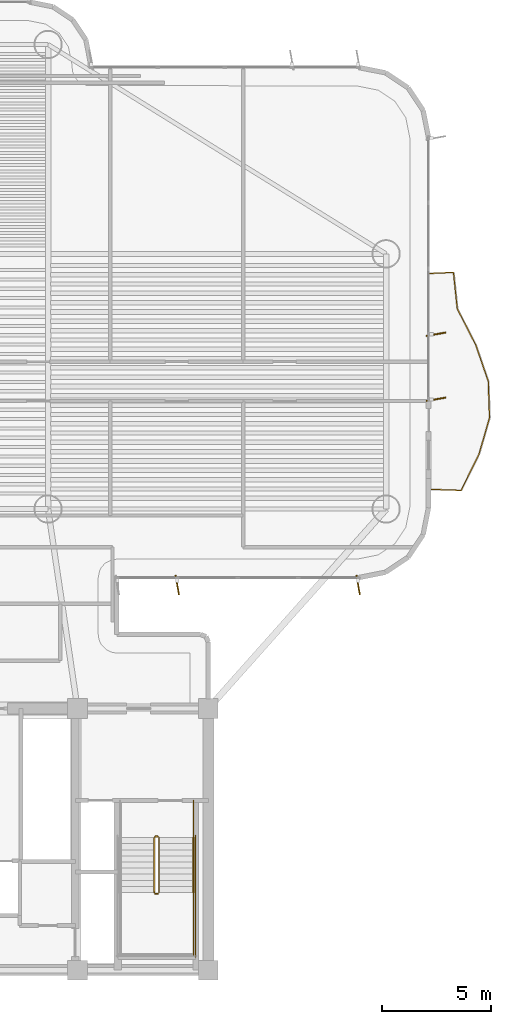
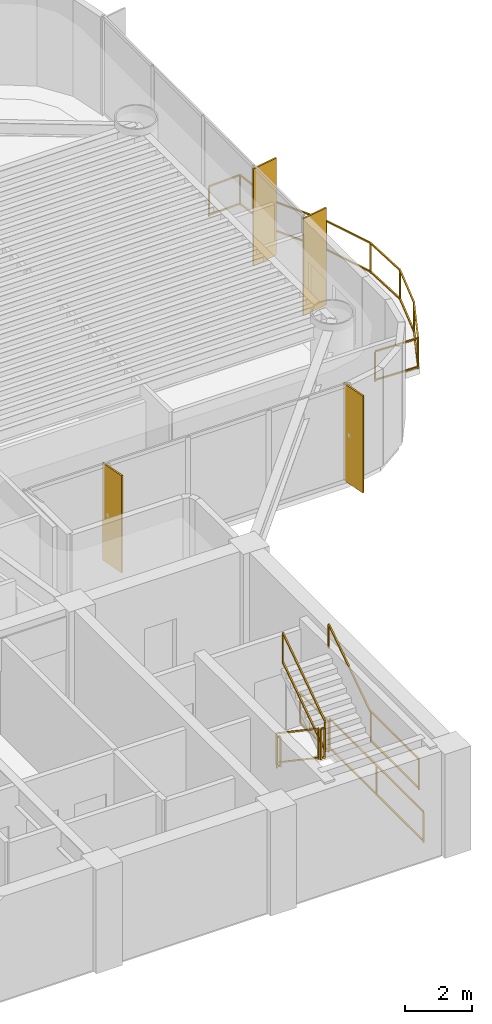
# One storey, part 15 of 16: 9 railings, 4 shading devices.
"""IFC4 building model written with IfcOpenShell, lengths in metres."""

from ifc_helpers import new_model, si_unit, direction, frame, origin, origin_2d, place, context, subcontext, project, spatial, rectangle, extrude, source, transform, mapped, material, layer, layer_set, material_profile, profile_set, type_object, element, save


model = new_model("IFC4")

# Units and contexts
model_context = context("Model", 3, precision=1e-05, world=origin(), true_north=direction((0.0, 1.0)))
body_context = subcontext(model_context, "Body", "Model", "MODEL_VIEW")
ifc_project = project(units=[si_unit("LENGTHUNIT", "METRE"), si_unit("AREAUNIT", "SQUARE_METRE"), si_unit("VOLUMEUNIT", "CUBIC_METRE"), si_unit("PLANEANGLEUNIT", "RADIAN"), si_unit("MASSUNIT", "GRAM", prefix="KILO")], contexts=[model_context])

# Site, building, storey
site_placement = place(None, origin())
site = spatial("IfcSite", under=ifc_project, at=site_placement, CompositionType="ELEMENT")
building_placement = place(site_placement, origin())
building = spatial("IfcBuilding", under=site, at=building_placement, Name="Brelvock Crest Care Tower", CompositionType="ELEMENT")
storey_placement = place(building_placement, frame((0.0, 0.0, 108.719970703125)))
storey = spatial("IfcBuildingStorey", under=building, at=storey_placement, Name="L27", CompositionType="ELEMENT", Elevation=108.719970703125)

# Railings
ifc_material_1 = material(Name="Dark Glass Double Glazed Low-E", Category="glass")
ifc_layer_1 = layer(ifc_material_1, 0.06005859375, Name="RL-BAL1")
ifc_layer_set_1 = layer_set([ifc_layer_1], Name="Dark Glass Double Glazed Low-E")
railing_type_1 = type_object("IfcRailingType", Name="RL-BAL1", PredefinedType="BALUSTRADE", material=ifc_layer_set_1)
railing_1_placement = place(storey_placement, frame((58.139892578125, 28.050048828125, 0.004150390625)))
element("IfcRailing", 1, at=railing_1_placement, inside=storey, type_object=railing_type_1, Name="L27 Safety Balustrade WB-E", PredefinedType="BALUSTRADE", context=body_context, shape_type="SweptSolid", body=[
    extrude(rectangle(XDim=0.048095703125, YDim=0.048095703125, at=origin_2d()), frame((0.001953125, 0.0, 1.09619140625), z_axis=(0.999404999824, -0.034491249994, 0.0), x_axis=(0.034491249994, 0.999404999824, 0.0)), (0.0, 0.0, 1.0), 1.447021484375),
    extrude(rectangle(XDim=0.048095703125, YDim=0.048095703125, at=origin_2d()), frame((0.001953125, 0.0, 0.054931640625), z_axis=(0.999404999824, -0.034491249994, 0.0), x_axis=(0.034491249994, 0.999404999824, 0.0)), (0.0, 0.0, 1.0), 1.447021484375),
    extrude(rectangle(XDim=0.048095703125, YDim=0.048095703125, at=origin_2d()), frame((1.451171875, -0.04833984375, 1.09619140625), z_axis=(0.442214310765, 0.896909417586, 0.0), x_axis=(-0.896909417586, 0.442214310765, 0.0)), (0.0, 0.0, 1.0), 1.854248046875),
    extrude(rectangle(XDim=0.048095703125, YDim=0.048095703125, at=origin_2d()), frame((1.451171875, -0.04833984375, 0.054931640625), z_axis=(0.442214310765, 0.896909417586, 0.0), x_axis=(-0.896909417586, 0.442214310765, 0.0)), (0.0, 0.0, 1.0), 1.854248046875),
    extrude(rectangle(XDim=0.048095703125, YDim=0.048095703125, at=origin_2d()), frame((2.2724609375, 1.61865234375, 1.09619140625), z_axis=(0.277935062116, 0.960599865317, 0.0), x_axis=(-0.960599865317, 0.277935062116, 0.0)), (0.0, 0.0, 1.0), 1.73095703125),
    extrude(rectangle(XDim=0.048095703125, YDim=0.048095703125, at=origin_2d()), frame((2.2724609375, 1.61865234375, 0.054931640625), z_axis=(0.277935062116, 0.960599865317, 0.0), x_axis=(-0.960599865317, 0.277935062116, 0.0)), (0.0, 0.0, 1.0), 1.73095703125),
    extrude(rectangle(XDim=0.048095703125, YDim=0.048095703125, at=origin_2d()), frame((2.754150390625, 3.28515625, 1.09619140625), z_axis=(-0.034109333385, 0.999418107388, 0.0), x_axis=(-0.999418107388, -0.034109333385, 0.0)), (0.0, 0.0, 1.0), 1.663818359375),
    extrude(rectangle(XDim=0.048095703125, YDim=0.048095703125, at=origin_2d()), frame((2.754150390625, 3.28515625, 0.054931640625), z_axis=(-0.034109333385, 0.999418107388, 0.0), x_axis=(-0.999418107388, -0.034109333385, 0.0)), (0.0, 0.0, 1.0), 1.663818359375),
    extrude(rectangle(XDim=0.048095703125, YDim=0.048095703125, at=origin_2d()), frame((2.696533203125, 4.951904296875, 1.09619140625), z_axis=(-0.324735154132, 0.945804990297, 0.0), x_axis=(-0.945804990297, -0.324735154132, 0.0)), (0.0, 0.0, 1.0), 1.75830078125),
    extrude(rectangle(XDim=0.048095703125, YDim=0.048095703125, at=origin_2d()), frame((2.696533203125, 4.951904296875, 0.054931640625), z_axis=(-0.324735154132, 0.945804990297, 0.0), x_axis=(-0.945804990297, -0.324735154132, 0.0)), (0.0, 0.0, 1.0), 1.75830078125),
    extrude(rectangle(XDim=0.048095703125, YDim=0.048095703125, at=origin_2d()), frame((2.1240234375, 6.618408203125, 1.09619140625), z_axis=(-0.454816788854, 0.890585026023, 0.0), x_axis=(-0.890585026023, -0.454816788854, 0.0)), (0.0, 0.0, 1.0), 1.8671875),
    extrude(rectangle(XDim=0.048095703125, YDim=0.048095703125, at=origin_2d()), frame((2.1240234375, 6.618408203125, 0.054931640625), z_axis=(-0.454816788854, 0.890585026023, 0.0), x_axis=(-0.890585026023, -0.454816788854, 0.0)), (0.0, 0.0, 1.0), 1.8671875),
    extrude(rectangle(XDim=0.048095703125, YDim=0.048095703125, at=origin_2d()), frame((1.273681640625, 8.28515625, 1.09619140625), z_axis=(-0.103729188721, 0.994605577808, 0.0), x_axis=(-0.994605577808, -0.103729188721, 0.0)), (0.0, 0.0, 1.0), 1.671875),
    extrude(rectangle(XDim=0.048095703125, YDim=0.048095703125, at=origin_2d()), frame((1.273681640625, 8.28515625, 0.054931640625), z_axis=(-0.103729188721, 0.994605577808, 0.0), x_axis=(-0.994605577808, -0.103729188721, 0.0)), (0.0, 0.0, 1.0), 1.671875),
    extrude(rectangle(XDim=0.048095703125, YDim=0.048095703125, at=origin_2d()), frame((1.09814453125, 9.949951171875, 1.09619140625), z_axis=(-0.998966710972, -0.045447886318, 0.0), x_axis=(0.045447886318, -0.998966710972, 0.0)), (0.0, 0.0, 1.0), 1.09716796875),
    extrude(rectangle(XDim=0.048095703125, YDim=0.048095703125, at=origin_2d()), frame((1.09814453125, 9.949951171875, 0.054931640625), z_axis=(-0.998966710972, -0.045447886318, 0.0), x_axis=(0.045447886318, -0.998966710972, 0.0)), (0.0, 0.0, 1.0), 1.09716796875),
    extrude(rectangle(XDim=0.0419921875, YDim=0.0419921875, at=origin_2d()), origin(), (0.0, 0.0, 1.0), 1.070068359375),
    extrude(rectangle(XDim=0.0419921875, YDim=0.0419921875, at=origin_2d()), frame((1.4501953125, -0.050048828125, 0.0)), (0.0, 0.0, 1.0), 1.070068359375),
    extrude(rectangle(XDim=0.0419921875, YDim=0.0419921875, at=origin_2d()), frame((2.27197265625, 1.61669921875, 0.0)), (0.0, 0.0, 1.0), 1.070068359375),
    extrude(rectangle(XDim=0.0419921875, YDim=0.0419921875, at=origin_2d()), frame((2.754150390625, 3.283203125, 0.0)), (0.0, 0.0, 1.0), 1.070068359375),
    extrude(rectangle(XDim=0.0419921875, YDim=0.0419921875, at=origin_2d()), frame((2.697265625, 4.949951171875, 0.0)), (0.0, 0.0, 1.0), 1.070068359375),
    extrude(rectangle(XDim=0.0419921875, YDim=0.0419921875, at=origin_2d()), frame((2.125, 6.61669921875, 0.0)), (0.0, 0.0, 1.0), 1.070068359375),
    extrude(rectangle(XDim=0.0419921875, YDim=0.0419921875, at=origin_2d()), frame((1.27392578125, 8.283203125, 0.0)), (0.0, 0.0, 1.0), 1.070068359375),
    extrude(rectangle(XDim=0.0419921875, YDim=0.0419921875, at=origin_2d()), frame((1.10009765625, 9.949951171875, 0.0)), (0.0, 0.0, 1.0), 1.070068359375),
    extrude(rectangle(XDim=0.0419921875, YDim=0.0419921875, at=origin_2d()), frame((0.0, 9.89990234375, 0.0)), (0.0, 0.0, 1.0), 1.070068359375),
])
ifc_material_2 = material(Name="Steel Grade 350", Category="steel")
ifc_layer_2 = layer(ifc_material_2, 0.050048828125, Name="RL-STG1")
ifc_layer_set_2 = layer_set([ifc_layer_2], Name="Steel Grade 350")
railing_type_2 = type_object("IfcRailingType", Name="RL-STG1", PredefinedType="GUARDRAIL", material=ifc_layer_set_2)
railing_2_placement = place(storey_placement, frame((45.52001953125, 12.080078125, 0.18896484375)))
element("IfcRailing", 2, at=railing_2_placement, inside=storey, type_object=railing_type_2, Name="L27 ST-2 stair guard 1", PredefinedType="GUARDRAIL", context=body_context, shape_type="SweptSolid", body=[
    extrude(rectangle(XDim=0.048095703125, YDim=0.048095703125, at=origin_2d()), frame((0.0, -0.001708984375, 1.116943359375), z_axis=(0.0, -0.82882447046, 0.559508710537), x_axis=(1.0, 0.0, 0.0)), (0.0, 0.0, 1.0), 3.036376953125),
    extrude(rectangle(XDim=0.048095703125, YDim=0.048095703125, at=origin_2d()), frame((0.0, -0.001708984375, 0.05615234375), z_axis=(0.0, -0.82882447046, 0.559508710537), x_axis=(1.0, 0.0, 0.0)), (0.0, 0.0, 1.0), 3.036376953125),
    extrude(rectangle(XDim=0.0419921875, YDim=0.0419921875, at=origin_2d()), origin(), (0.0, 0.0, 1.0), 1.08984375),
    extrude(rectangle(XDim=0.0419921875, YDim=0.0419921875, at=origin_2d()), frame((0.0, -2.52001953125, 1.701171875)), (0.0, 0.0, 1.0), 1.08984375),
])
railing_3_placement = place(storey_placement, frame((45.570068359375, 9.510009765625, 1.89013671875)))
element("IfcRailing", 3, at=railing_3_placement, inside=storey, type_object=railing_type_2, Name="L27 ST-2 stair guard 2", PredefinedType="GUARDRAIL", context=body_context, shape_type="SweptSolid", body=[
    extrude(rectangle(XDim=0.048095703125, YDim=0.048095703125, at=origin_2d()), frame((0.001953125, 0.0, 1.11572265625), z_axis=(1.0, 0.0, 0.0), x_axis=(0.0, 1.0, 0.0)), (0.0, 0.0, 1.0), 0.115966796875),
    extrude(rectangle(XDim=0.048095703125, YDim=0.048095703125, at=origin_2d()), frame((0.001953125, 0.0, 0.054931640625), z_axis=(1.0, 0.0, 0.0), x_axis=(0.0, 1.0, 0.0)), (0.0, 0.0, 1.0), 0.115966796875),
    extrude(rectangle(XDim=0.0419921875, YDim=0.0419921875, at=origin_2d()), origin(), (0.0, 0.0, 1.0), 1.08984375),
    extrude(rectangle(XDim=0.0419921875, YDim=0.0419921875, at=origin_2d()), frame((0.119873046875, 0.0, 0.0)), (0.0, 0.0, 1.0), 1.08984375),
])
railing_4_placement = place(storey_placement, frame((47.320068359375, 9.56005859375, 1.89013671875)))
element("IfcRailing", 4, at=railing_4_placement, inside=storey, type_object=railing_type_2, Name="L27 ST-2 stair guard 4", PredefinedType="GUARDRAIL", context=body_context, shape_type="SweptSolid", body=[
    extrude(rectangle(XDim=0.048095703125, YDim=0.048095703125, at=origin_2d()), frame((0.0, -0.001953125, 1.11572265625), z_axis=(0.0, -1.0, 0.0), x_axis=(1.0, 0.0, 0.0)), (0.0, 0.0, 1.0), 2.856201171875),
    extrude(rectangle(XDim=0.048095703125, YDim=0.048095703125, at=origin_2d()), frame((0.0, -0.001953125, 0.054931640625), z_axis=(0.0, -1.0, 0.0), x_axis=(1.0, 0.0, 0.0)), (0.0, 0.0, 1.0), 2.856201171875),
    extrude(rectangle(XDim=0.0419921875, YDim=0.0419921875, at=origin_2d()), origin(), (0.0, 0.0, 1.0), 1.08984375),
    extrude(rectangle(XDim=0.0419921875, YDim=0.0419921875, at=origin_2d()), frame((0.0, -2.860107421875, 0.0)), (0.0, 0.0, 1.0), 1.08984375),
])
railing_5_placement = place(storey_placement, frame((45.739990234375, 9.56005859375, 2.0791015625)))
element("IfcRailing", 5, at=railing_5_placement, inside=storey, type_object=railing_type_2, Name="L27 ST-2 stair guard 6", PredefinedType="GUARDRAIL", context=body_context, shape_type="SweptSolid", body=[
    extrude(rectangle(XDim=0.048095703125, YDim=0.048095703125, at=origin_2d()), frame((0.0, 0.001708984375, 1.116943359375), z_axis=(0.0, 0.828861706735, 0.559453546873), x_axis=(-1.0, 0.0, 0.0)), (0.0, 0.0, 1.0), 3.036376953125),
    extrude(rectangle(XDim=0.048095703125, YDim=0.048095703125, at=origin_2d()), frame((0.0, 0.001708984375, 0.05615234375), z_axis=(0.0, 0.828861706735, 0.559453546873), x_axis=(-1.0, 0.0, 0.0)), (0.0, 0.0, 1.0), 3.036376953125),
    extrude(rectangle(XDim=0.0419921875, YDim=0.0419921875, at=origin_2d()), origin(), (0.0, 0.0, 1.0), 1.08984375),
    extrude(rectangle(XDim=0.0419921875, YDim=0.0419921875, at=origin_2d()), frame((0.0, 2.52001953125, 1.700927734375)), (0.0, 0.0, 1.0), 1.08984375),
])
railing_6_placement = place(storey_placement, frame((45.570068359375, 12.1298828125, 0.0)))
element("IfcRailing", 6, at=railing_6_placement, inside=storey, type_object=railing_type_2, Name="L27 ST-2 stair guard 7", PredefinedType="GUARDRAIL", context=body_context, shape_type="SweptSolid", body=[
    extrude(rectangle(XDim=0.048095703125, YDim=0.048095703125, at=origin_2d()), frame((0.001953125, 0.0, 1.11572265625), z_axis=(1.0, 0.0, 0.0), x_axis=(0.0, 1.0, 0.0)), (0.0, 0.0, 1.0), 0.115966796875),
    extrude(rectangle(XDim=0.048095703125, YDim=0.048095703125, at=origin_2d()), frame((0.001953125, 0.0, 0.054931640625), z_axis=(1.0, 0.0, 0.0), x_axis=(0.0, 1.0, 0.0)), (0.0, 0.0, 1.0), 0.115966796875),
    extrude(rectangle(XDim=0.0419921875, YDim=0.0419921875, at=origin_2d()), origin(), (0.0, 0.0, 1.0), 1.08984375),
    extrude(rectangle(XDim=0.0419921875, YDim=0.0419921875, at=origin_2d()), frame((0.119873046875, 0.0, 0.0)), (0.0, 0.0, 1.0), 1.08984375),
])
railing_7_placement = place(storey_placement, frame((47.320068359375, 13.780029296875, 0.0)))
element("IfcRailing", 7, at=railing_7_placement, inside=storey, type_object=railing_type_2, Name="L27 ST-2 stair guard 9", PredefinedType="GUARDRAIL", context=body_context, shape_type="SweptSolid", body=[
    extrude(rectangle(XDim=0.048095703125, YDim=0.048095703125, at=origin_2d()), frame((0.0, -0.001953125, 1.11572265625), z_axis=(0.0, -1.0, 0.0), x_axis=(1.0, 0.0, 0.0)), (0.0, 0.0, 1.0), 1.696044921875),
    extrude(rectangle(XDim=0.048095703125, YDim=0.048095703125, at=origin_2d()), frame((0.0, -0.001953125, 0.054931640625), z_axis=(0.0, -1.0, 0.0), x_axis=(1.0, 0.0, 0.0)), (0.0, 0.0, 1.0), 1.696044921875),
    extrude(rectangle(XDim=0.0419921875, YDim=0.0419921875, at=origin_2d()), origin(), (0.0, 0.0, 1.0), 1.08984375),
    extrude(rectangle(XDim=0.0419921875, YDim=0.0419921875, at=origin_2d()), frame((0.0, -1.699951171875, 0.0)), (0.0, 0.0, 1.0), 1.08984375),
])
railing_8_placement = place(storey_placement, frame((47.419921875, 12.179931640625, 0.0)))
element("IfcRailing", 8, at=railing_8_placement, inside=storey, type_object=railing_type_2, Name="L27 ST-2 stair guard 11", PredefinedType="GUARDRAIL", context=body_context, shape_type="SweptSolid", body=[
    extrude(rectangle(XDim=0.048095703125, YDim=0.048095703125, at=origin_2d()), frame((0.0, -0.001953125, 1.11572265625), z_axis=(0.0, -1.0, 0.0), x_axis=(1.0, 0.0, 0.0)), (0.0, 0.0, 1.0), 5.575927734375),
    extrude(rectangle(XDim=0.048095703125, YDim=0.048095703125, at=origin_2d()), frame((0.0, -0.001953125, 0.054931640625), z_axis=(0.0, -1.0, 0.0), x_axis=(1.0, 0.0, 0.0)), (0.0, 0.0, 1.0), 5.575927734375),
    extrude(rectangle(XDim=0.0419921875, YDim=0.0419921875, at=origin_2d()), origin(), (0.0, 0.0, 1.0), 1.08984375),
    extrude(rectangle(XDim=0.0419921875, YDim=0.0419921875, at=origin_2d()), frame((0.0, -2.7900390625, 0.0)), (0.0, 0.0, 1.0), 1.08984375),
    extrude(rectangle(XDim=0.0419921875, YDim=0.0419921875, at=origin_2d()), frame((0.0, -5.579833984375, 0.0)), (0.0, 0.0, 1.0), 1.08984375),
])
ifc_layer_3 = layer(ifc_material_2, 0.048095703125, Name="RL-STH1")
ifc_layer_set_3 = layer_set([ifc_layer_3], Name="Steel Grade 350")
railing_type_3 = type_object("IfcRailingType", Name="RL-STH1", PredefinedType="HANDRAIL", material=ifc_layer_set_3)
railing_9_placement = place(storey_placement, frame((47.320068359375, 9.56005859375, 2.0791015625)))
element("IfcRailing", 9, at=railing_9_placement, inside=storey, type_object=railing_type_3, Name="L27 ST-2 stair handrail 2", PredefinedType="HANDRAIL", context=body_context, shape_type="SweptSolid", body=[
    extrude(rectangle(XDim=0.048095703125, YDim=0.048095703125, at=origin_2d()), frame((0.0, 0.001708984375, 0.876953125), z_axis=(0.0, 0.828861706735, 0.559453546873), x_axis=(-1.0, 0.0, 0.0)), (0.0, 0.0, 1.0), 3.036376953125),
    extrude(rectangle(XDim=0.0419921875, YDim=0.0419921875, at=origin_2d()), origin(), (0.0, 0.0, 1.0), 0.849853515625),
    extrude(rectangle(XDim=0.0419921875, YDim=0.0419921875, at=origin_2d()), frame((0.0, 2.52001953125, 1.700927734375)), (0.0, 0.0, 1.0), 0.849853515625),
])

# Shading devices
ifc_material_3 = material(Name="Aluminium 6063-T6", Category="aluminium")
ifc_material_profile = material_profile(ifc_material_3, rectangle(XDim=0.054931640625, YDim=0.89990234375, at=origin_2d()), Name="FIN55x900")
ifc_profile_set = profile_set([ifc_material_profile], Name="Aluminium 6063-T6")
shading_device_type = type_object("IfcShadingDeviceType", Name="SHD-FIN1", PredefinedType="USERDEFINED", material=ifc_profile_set)
shared_shape = source(origin(), body_context, "Body", "SweptSolid", [
    extrude(rectangle(XDim=0.054931640625, YDim=0.89990234375, at=origin_2d()), origin(), (0.0, 0.0, 1.0), 3.530029296875),
])
for number, where, z_axis, x_axis, name in (
    (10, (58.43994140625, 35.16259765625, 0.0), (0.0, 0.0, 1.0), (0.173648177667, -0.984807753012, 0.0), "L27 Vertical Sunshade Fin E39A-04"),
    (11, (58.43994140625, 32.179931640625, 0.0), (0.0, 0.0, 1.0), (0.173648177667, -0.984807753012, 0.0), "L27 Vertical Sunshade Fin E39A-05"),
    (12, (54.8701171875, 23.659912109375, 0.0), (0.0, 0.0, 1.0), (-0.984807753012, -0.173648177667, 0.0), "L27 Vertical Sunshade Fin E44-01"),
    (13, (46.574951171875, 23.659912109375, 0.0), (0.0, 0.0, 1.0), (-0.984807753012, -0.173648177667, 0.0), "L27 Vertical Sunshade Fin E44-04"),
):
    element("IfcShadingDevice", number, at=place(storey_placement, frame(where, z_axis=z_axis, x_axis=x_axis)), inside=storey, type_object=shading_device_type, Name=name, ObjectType="FIN", PredefinedType="USERDEFINED", context=body_context, shape_type="MappedRepresentation", body=[
        mapped(shared_shape, transform((0.0, 0.0, 0.0), x_axis=(1.0, 0.0, 0.0), y_axis=(0.0, 1.0, 0.0), z_axis=(0.0, 0.0, 1.0), scale=1.0)),
    ])

save(model, "model.ifc")
